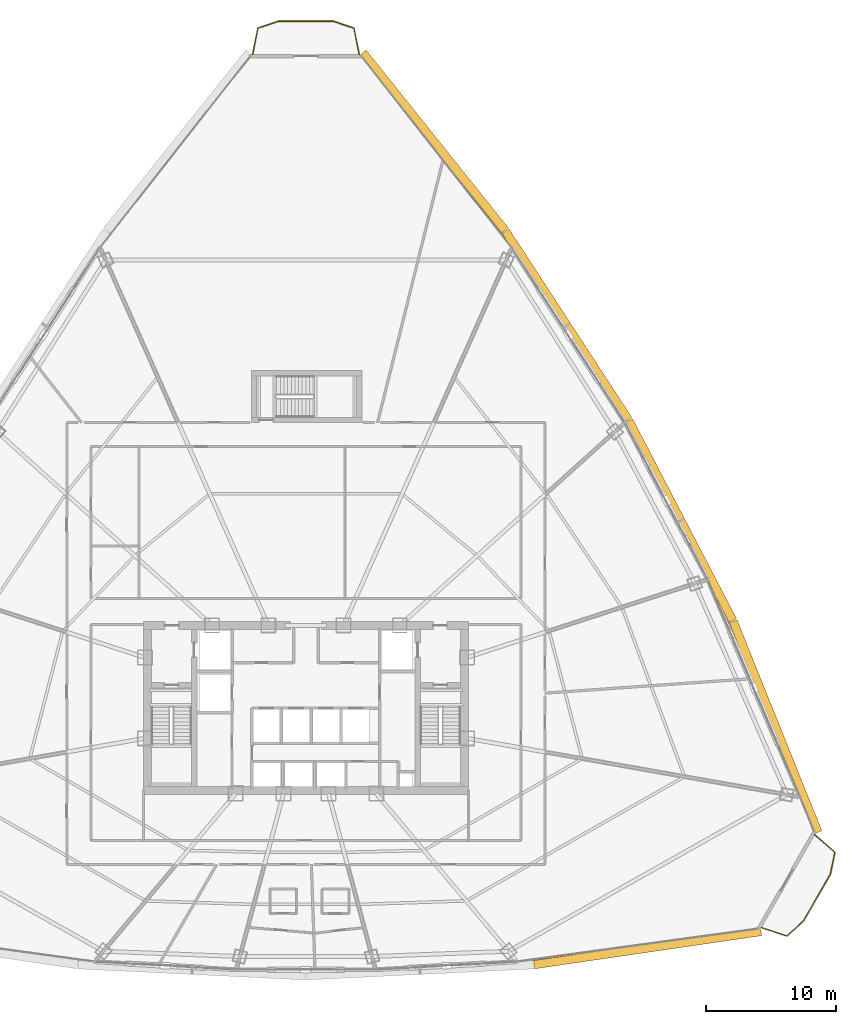
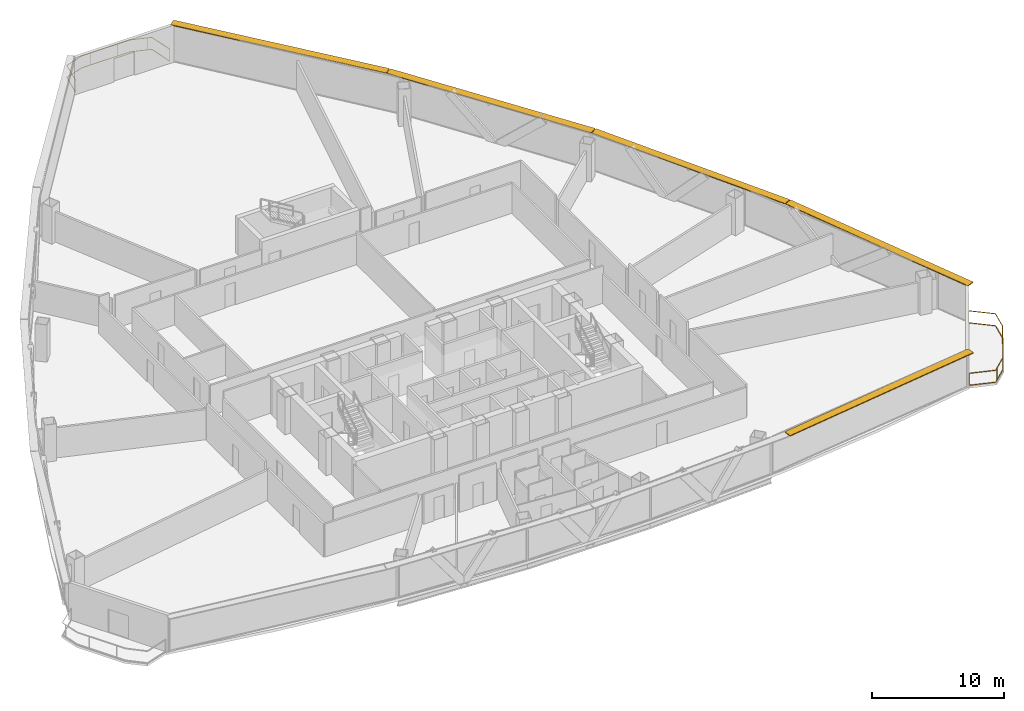
# One storey, part 39 of 39: 5 shading devices, 2 railings.
"""IFC4 building model written with IfcOpenShell, lengths in metres."""

from ifc_helpers import new_model, si_unit, direction, frame, origin, origin_2d, place, context, subcontext, project, spatial, rectangle, extrude, source, transform, mapped, material, layer, layer_set, type_object, element, save


model = new_model("IFC4")

# Units and contexts
model_context = context("Model", 3, precision=1e-05, world=origin(), true_north=direction((0.0, 1.0)))
body_context = subcontext(model_context, "Body", "Model", "MODEL_VIEW")
ifc_project = project(units=[si_unit("LENGTHUNIT", "METRE"), si_unit("AREAUNIT", "SQUARE_METRE"), si_unit("VOLUMEUNIT", "CUBIC_METRE"), si_unit("PLANEANGLEUNIT", "RADIAN"), si_unit("MASSUNIT", "GRAM", prefix="KILO"), si_unit("THERMODYNAMICTEMPERATUREUNIT", "KELVIN"), si_unit("POWERUNIT", "WATT")], contexts=[model_context])

# Site, building, storey
site_placement = place(None, origin())
site = spatial("IfcSite", under=ifc_project, at=site_placement, CompositionType="ELEMENT")
building_placement = place(site_placement, origin())
building = spatial("IfcBuilding", under=site, at=building_placement, Name="Yunzhuo Pagoda Commons", CompositionType="ELEMENT")
storey_placement = place(building_placement, frame((0.0, 0.0, 166.6298828125)))
storey = spatial("IfcBuildingStorey", under=building, at=storey_placement, Name="L42", CompositionType="ELEMENT", Elevation=166.6298828125)

# Railings
ifc_material = material(Name="Anodized aluminium 6063-T6", Category="aluminium")
railing_type = type_object("IfcRailingType", Name="RL-BAL1 Exterior Terrace & Balcony Balustrade 1150", PredefinedType="BALUSTRADE", material=ifc_material)
railing_1_placement = place(storey_placement, frame((83.041015625, 16.955322265625, 0.0)))
element("IfcRailing", 1, at=railing_1_placement, inside=storey, type_object=railing_type, Name="L42 corner balcony balustrade V2", PredefinedType="BALUSTRADE", context=body_context, shape_type="SweptSolid", body=[
    extrude(rectangle(XDim=0.048095703125, YDim=0.048095703125, at=origin_2d()), frame((0.0, 0.0, 1.1259765625), z_axis=(0.947419062147, -0.319995501031, 0.0), x_axis=(0.319995501031, 0.947419062147, 0.0)), (0.0, 0.0, 1.0), 2.05908203125),
    extrude(rectangle(XDim=0.048095703125, YDim=0.048095703125, at=origin_2d()), frame((0.0, 0.0, 0.02392578125), z_axis=(0.947419062147, -0.319995501031, 0.0), x_axis=(0.319995501031, 0.947419062147, 0.0)), (0.0, 0.0, 1.0), 2.05908203125),
    extrude(rectangle(XDim=0.048095703125, YDim=0.048095703125, at=origin_2d()), frame((1.950927734375, -0.658935546875, 1.1259765625), z_axis=(0.743044693611, 0.669241797332, 0.0), x_axis=(-0.669241797332, 0.743044693611, 0.0)), (0.0, 0.0, 1.0), 1.70361328125),
    extrude(rectangle(XDim=0.048095703125, YDim=0.048095703125, at=origin_2d()), frame((1.950927734375, -0.658935546875, 0.02392578125), z_axis=(0.743044693611, 0.669241797332, 0.0), x_axis=(-0.669241797332, 0.743044693611, 0.0)), (0.0, 0.0, 1.0), 1.70361328125),
    extrude(rectangle(XDim=0.048095703125, YDim=0.048095703125, at=origin_2d()), frame((3.216796875, 0.481201171875, 1.1259765625), z_axis=(0.497929078037, 0.867217754226, 0.0), x_axis=(-0.867217754226, 0.497929078037, 0.0)), (0.0, 0.0, 1.0), 4.197998046875),
    extrude(rectangle(XDim=0.048095703125, YDim=0.048095703125, at=origin_2d()), frame((3.216796875, 0.481201171875, 0.02392578125), z_axis=(0.497929078037, 0.867217754226, 0.0), x_axis=(-0.867217754226, 0.497929078037, 0.0)), (0.0, 0.0, 1.0), 4.197998046875),
    extrude(rectangle(XDim=0.048095703125, YDim=0.048095703125, at=origin_2d()), frame((5.30712890625, 4.121826171875, 1.1259765625), z_axis=(0.203359032511, 0.97910423546, 0.0), x_axis=(-0.97910423546, 0.203359032511, 0.0)), (0.0, 0.0, 1.0), 1.70361328125),
    extrude(rectangle(XDim=0.048095703125, YDim=0.048095703125, at=origin_2d()), frame((5.30712890625, 4.121826171875, 0.02392578125), z_axis=(0.203359032511, 0.97910423546, 0.0), x_axis=(-0.97910423546, 0.203359032511, 0.0)), (0.0, 0.0, 1.0), 1.70361328125),
    extrude(rectangle(XDim=0.048095703125, YDim=0.048095703125, at=origin_2d()), frame((5.653564453125, 5.789794921875, 1.1259765625), z_axis=(-0.753992555518, 0.656882962348, 0.0), x_axis=(-0.656882962348, -0.753992555518, 0.0)), (0.0, 0.0, 1.0), 2.05908203125),
    extrude(rectangle(XDim=0.048095703125, YDim=0.048095703125, at=origin_2d()), frame((5.653564453125, 5.789794921875, 0.02392578125), z_axis=(-0.753992555518, 0.656882962348, 0.0), x_axis=(-0.656882962348, -0.753992555518, 0.0)), (0.0, 0.0, 1.0), 2.05908203125),
    extrude(rectangle(XDim=0.0419921875, YDim=0.0419921875, at=origin_2d()), origin(), (0.0, 0.0, 1.0), 1.101806640625),
    extrude(rectangle(XDim=0.0419921875, YDim=0.0419921875, at=origin_2d()), frame((2.2041015625, -0.430908203125, 0.0)), (0.0, 0.0, 1.0), 1.101806640625),
    extrude(rectangle(XDim=0.0419921875, YDim=0.0419921875, at=origin_2d()), frame((3.733154296875, 1.380615234375, 0.0)), (0.0, 0.0, 1.0), 1.101806640625),
    extrude(rectangle(XDim=0.0419921875, YDim=0.0419921875, at=origin_2d()), frame((4.92822265625, 3.4619140625, 0.0)), (0.0, 0.0, 1.0), 1.101806640625),
    extrude(rectangle(XDim=0.0419921875, YDim=0.0419921875, at=origin_2d()), frame((4.10107421875, 7.142333984375, 0.0)), (0.0, 0.0, 1.0), 1.101806640625),
])
railing_2_placement = place(storey_placement, frame((52.1005859375, 84.1279296875, 0.0)))
element("IfcRailing", 2, at=railing_2_placement, inside=storey, type_object=railing_type, Name="L42 corner balcony balustrade V3", PredefinedType="BALUSTRADE", context=body_context, shape_type="SweptSolid", body=[
    extrude(rectangle(XDim=0.048095703125, YDim=0.048095703125, at=origin_2d()), frame((0.0, 0.0, 1.1259765625), z_axis=(-0.194200568098, 0.980961843983, 0.0), x_axis=(-0.980961843983, -0.194200568098, 0.0)), (0.0, 0.0, 1.0), 2.059326171875),
    extrude(rectangle(XDim=0.048095703125, YDim=0.048095703125, at=origin_2d()), frame((0.0, 0.0, 0.02392578125), z_axis=(-0.194200568098, 0.980961843983, 0.0), x_axis=(-0.980961843983, -0.194200568098, 0.0)), (0.0, 0.0, 1.0), 2.059326171875),
    extrude(rectangle(XDim=0.048095703125, YDim=0.048095703125, at=origin_2d()), frame((-0.39990234375, 2.02001953125, 1.1259765625), z_axis=(-0.949871781485, 0.312639726744, 0.0), x_axis=(-0.312639726744, -0.949871781485, 0.0)), (0.0, 0.0, 1.0), 1.6953125),
    extrude(rectangle(XDim=0.048095703125, YDim=0.048095703125, at=origin_2d()), frame((-0.39990234375, 2.02001953125, 0.02392578125), z_axis=(-0.949871781485, 0.312639726744, 0.0), x_axis=(-0.312639726744, -0.949871781485, 0.0)), (0.0, 0.0, 1.0), 1.6953125),
    extrude(rectangle(XDim=0.048095703125, YDim=0.048095703125, at=origin_2d()), frame((-2.01025390625, 2.550048828125, 1.1259765625), z_axis=(-1.0, 0.0, 0.0), x_axis=(0.0, -1.0, 0.0)), (0.0, 0.0, 1.0), 4.1806640625),
    extrude(rectangle(XDim=0.048095703125, YDim=0.048095703125, at=origin_2d()), frame((-2.01025390625, 2.550048828125, 0.02392578125), z_axis=(-1.0, 0.0, 0.0), x_axis=(0.0, -1.0, 0.0)), (0.0, 0.0, 1.0), 4.1806640625),
    extrude(rectangle(XDim=0.048095703125, YDim=0.048095703125, at=origin_2d()), frame((-6.19091796875, 2.550048828125, 1.1259765625), z_axis=(-0.949871781485, -0.312639726744, 0.0), x_axis=(0.312639726744, -0.949871781485, 0.0)), (0.0, 0.0, 1.0), 1.6953125),
    extrude(rectangle(XDim=0.048095703125, YDim=0.048095703125, at=origin_2d()), frame((-6.19091796875, 2.550048828125, 0.02392578125), z_axis=(-0.949871781485, -0.312639726744, 0.0), x_axis=(0.312639726744, -0.949871781485, 0.0)), (0.0, 0.0, 1.0), 1.6953125),
    extrude(rectangle(XDim=0.048095703125, YDim=0.048095703125, at=origin_2d()), frame((-7.80126953125, 2.02001953125, 1.1259765625), z_axis=(-0.194200568098, -0.980961843983, 0.0), x_axis=(0.980961843983, -0.194200568098, 0.0)), (0.0, 0.0, 1.0), 2.059326171875),
    extrude(rectangle(XDim=0.048095703125, YDim=0.048095703125, at=origin_2d()), frame((-7.80126953125, 2.02001953125, 0.02392578125), z_axis=(-0.194200568098, -0.980961843983, 0.0), x_axis=(0.980961843983, -0.194200568098, 0.0)), (0.0, 0.0, 1.0), 2.059326171875),
    extrude(rectangle(XDim=0.0419921875, YDim=0.0419921875, at=origin_2d()), origin(), (0.0, 0.0, 1.0), 1.101806640625),
    extrude(rectangle(XDim=0.0419921875, YDim=0.0419921875, at=origin_2d()), frame((-0.7236328125, 2.12646484375, 0.0)), (0.0, 0.0, 1.0), 1.101806640625),
    extrude(rectangle(XDim=0.0419921875, YDim=0.0419921875, at=origin_2d()), frame((-3.0556640625, 2.550048828125, 0.0)), (0.0, 0.0, 1.0), 1.101806640625),
    extrude(rectangle(XDim=0.0419921875, YDim=0.0419921875, at=origin_2d()), frame((-5.455810546875, 2.550048828125, 0.0)), (0.0, 0.0, 1.0), 1.101806640625),
    extrude(rectangle(XDim=0.0419921875, YDim=0.0419921875, at=origin_2d()), frame((-8.201171875, 0.0, 0.0)), (0.0, 0.0, 1.0), 1.101806640625),
])

# Shading devices
ifc_layer = layer(ifc_material, 0.080078125)
ifc_layer_set = layer_set([ifc_layer], Name="Anodized aluminium 6063-T6")
shading_device_type = type_object("IfcShadingDeviceType", Name="SH-SUN1 Pagoda Horizontal Sunshade Eave 650", PredefinedType="USERDEFINED", material=ifc_layer_set)
shared_shape_1 = source(origin(), body_context, "Body", "SweptSolid", [
    extrude(rectangle(XDim=17.64599609375, YDim=0.64990234375, at=origin_2d()), origin(), (0.0, 0.0, 1.0), 0.080078125),
])
shading_device_1_placement = place(storey_placement, frame((74.28564453125, 15.37109375, 3.340087890625), z_axis=(0.0, 0.0, 1.0), x_axis=(0.989510666697, 0.144459823108, 0.0)))
element("IfcShadingDevice", 3, at=shading_device_1_placement, inside=storey, type_object=shading_device_type, Name="L42 horizontal pagoda sunshade eave F1.4", ObjectType="SUNSHADE", PredefinedType="USERDEFINED", context=body_context, shape_type="MappedRepresentation", body=[
    mapped(shared_shape_1, transform((0.0, 0.0, 0.0), scale=1.0)),
])
shared_shape_2 = source(origin(), body_context, "Body", "SweptSolid", [
    extrude(rectangle(XDim=17.50439453125, YDim=0.64990234375, at=origin_2d()), origin(), (0.0, 0.0, 1.0), 0.080078125),
])
shading_device_2_placement = place(storey_placement, frame((84.132568359375, 32.395751953125, 3.340087890625), z_axis=(0.0, 0.0, 1.0), x_axis=(-0.372987782576, 0.927836253899, 0.0)))
element("IfcShadingDevice", 4, at=shading_device_2_placement, inside=storey, type_object=shading_device_type, Name="L42 horizontal pagoda sunshade eave F2.1", ObjectType="SUNSHADE", PredefinedType="USERDEFINED", context=body_context, shape_type="MappedRepresentation", body=[
    mapped(shared_shape_2, transform((0.0, 0.0, 0.0), scale=1.0)),
])
shared_shape_3 = source(origin(), body_context, "Body", "SweptSolid", [
    extrude(rectangle(XDim=17.338134765625, YDim=0.64990234375, at=origin_2d()), origin(), (0.0, 0.0, 1.0), 0.080078125),
])
for number, where, z_axis, x_axis, name in (
    (5, (76.843505859375, 48.265625, 3.340087890625), (0.0, 0.0, 1.0), (-0.461206683033, 0.88729273384, 0.0), "L42 horizontal pagoda sunshade eave F2.2"),
    (6, (68.081298828125, 63.2763671875, 3.340087890625), (0.0, 0.0, 1.0), (-0.545853380833, 0.837880711458, 0.0), "L42 horizontal pagoda sunshade eave F2.3"),
):
    element("IfcShadingDevice", number, at=place(storey_placement, frame(where, z_axis=z_axis, x_axis=x_axis)), inside=storey, type_object=shading_device_type, Name=name, ObjectType="SUNSHADE", PredefinedType="USERDEFINED", context=body_context, shape_type="MappedRepresentation", body=[
        mapped(shared_shape_3, transform((0.0, 0.0, 0.0), scale=1.0)),
    ])
shared_shape_4 = source(origin(), body_context, "Body", "SweptSolid", [
    extrude(rectangle(XDim=17.504150390625, YDim=0.64990234375, at=origin_2d()), origin(), (0.0, 0.0, 1.0), 0.080078125),
])
shading_device_3_placement = place(storey_placement, frame((57.846435546875, 77.4267578125, 3.340087890625), z_axis=(0.0, 0.0, 1.0), x_axis=(-0.624520471688, 0.781008438138, 0.0)))
element("IfcShadingDevice", 7, at=shading_device_3_placement, inside=storey, type_object=shading_device_type, Name="L42 horizontal pagoda sunshade eave F2.4", ObjectType="SUNSHADE", PredefinedType="USERDEFINED", context=body_context, shape_type="MappedRepresentation", body=[
    mapped(shared_shape_4, transform((0.0, 0.0, 0.0), scale=1.0)),
])

save(model, "model.ifc")
